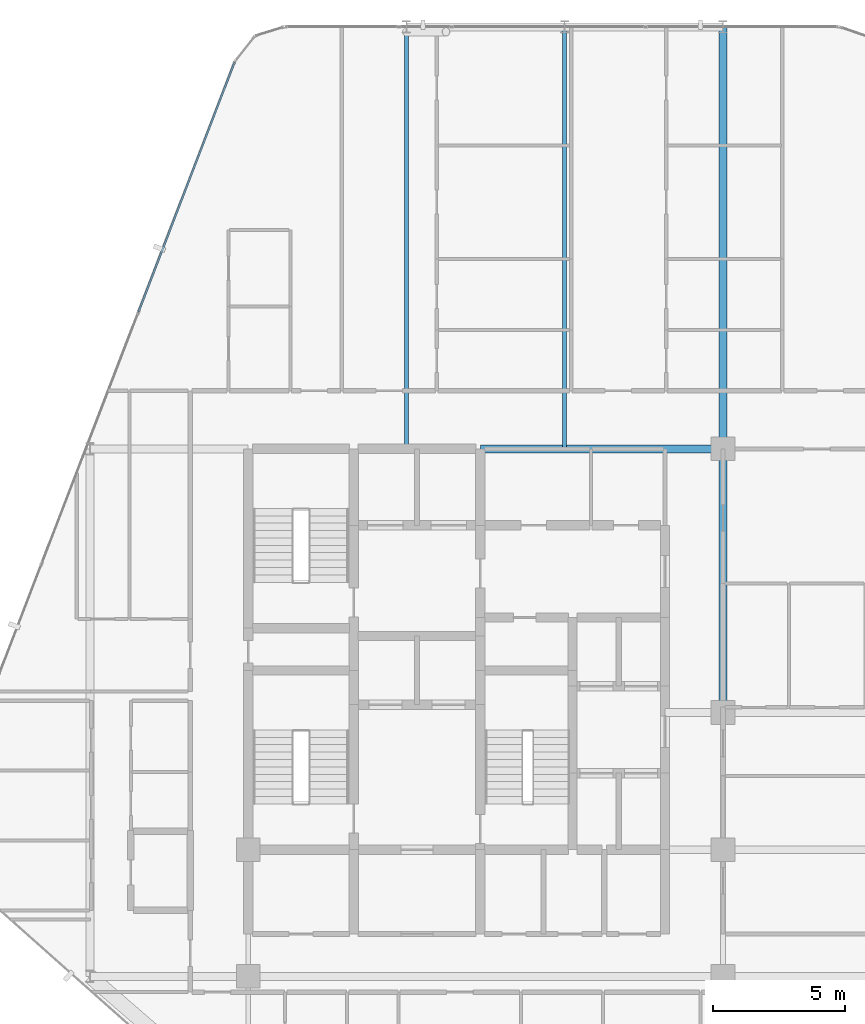
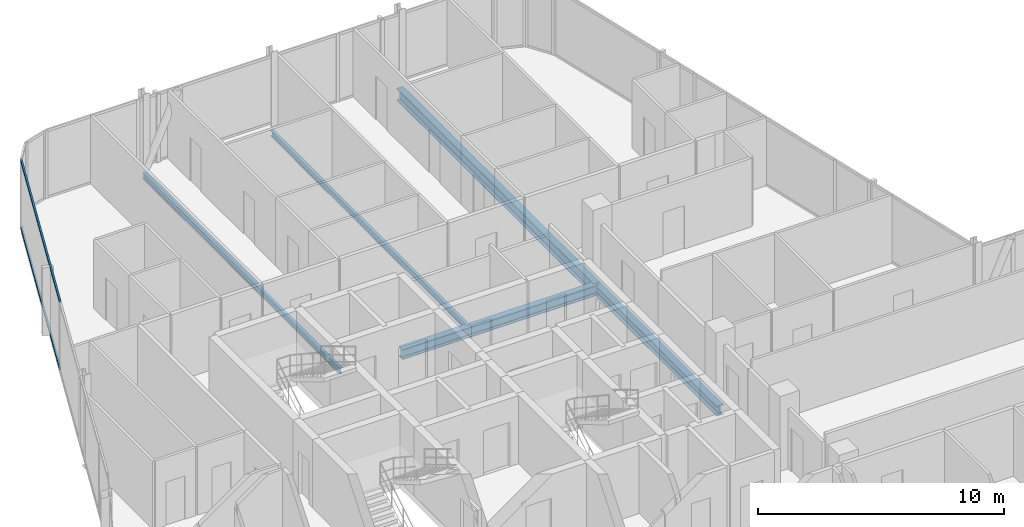
# One storey, part 17 of 29: 5 beams, 2 members, 1 element without a shape of its own.
"""IFC4 building model written with IfcOpenShell, lengths in metres."""

import ifcopenshell
import ifcopenshell.guid

model = None  # the IFC model being written
_history = None  # IfcOwnerHistory: only IFC2X3 demands one
_inside = {}  # id of a spatial element -> (the spatial element, [elements in it])
_under = {}  # id of a project, library or spatial element -> (it, [spatial elements below it])
_declared = {}  # id of a project -> (the project, [libraries it declares])
_typed = {}  # id of a type object -> (the type object, [elements of that type])
_made_of = {}  # id of a material, layer set ... -> (it, [elements and type objects made of it])


def new_model(schema):
    """Start an empty IFC model of exactly this schema.

    Asked for "IFC4X3", IfcOpenShell would pick the latest addendum, in which some entities
    have other attributes; the version numbers below select the first issue.
    IFC2X3 requires an IfcOwnerHistory on every rooted entity: one is made here for all.
    """
    global model, _history
    if schema == "IFC4X3":
        model = ifcopenshell.file(schema_version=(4, 3, 0, 0))
    else:
        model = ifcopenshell.file(schema=schema)
    _inside.clear()
    _under.clear()
    _declared.clear()
    _typed.clear()
    _made_of.clear()
    _history = None
    if model.schema == "IFC2X3":
        org = make("IfcOrganization", Name="unknown")
        user = make(
            "IfcPersonAndOrganization",
            ThePerson=make("IfcPerson", FamilyName="unknown"),
            TheOrganization=org,
        )
        app = make(
            "IfcApplication",
            ApplicationDeveloper=org,
            Version="unknown",
            ApplicationFullName="unknown",
            ApplicationIdentifier="unknown",
        )
        _history = make(
            "IfcOwnerHistory",
            OwningUser=user,
            OwningApplication=app,
            ChangeAction="ADDED",
            CreationDate=0,
        )
    return model


def make(cls, **values):
    """One entity of the class cls with the attributes given. An attribute that is None is left unset."""
    return model.create_entity(
        cls, **{name: value for name, value in values.items() if value is not None}
    )


def rooted(cls, **values):
    """An entity with a GlobalId (a new one), such as an element, a storey or a relation."""
    return make(cls, GlobalId=ifcopenshell.guid.new(), OwnerHistory=_history, **values)


def si_unit(unit_type, name, prefix=None):
    """IfcSIUnit, for example si_unit("LENGTHUNIT", "METRE", prefix="MILLI")."""
    return make("IfcSIUnit", UnitType=unit_type, Prefix=prefix, Name=name)


def assignment(units):
    """IfcUnitAssignment: the units of a project."""
    return None if units is None else make("IfcUnitAssignment", Units=units)


def point(xyz):
    """IfcCartesianPoint."""
    return None if xyz is None else make("IfcCartesianPoint", Coordinates=xyz)


def direction(xyz):
    """IfcDirection."""
    return None if xyz is None else make("IfcDirection", DirectionRatios=xyz)


def frame(location, z_axis=None, x_axis=None):
    """IfcAxis2Placement3D, a coordinate frame: its origin and axes. An axis left out is left unset."""
    return make(
        "IfcAxis2Placement3D",
        Location=point(location),
        Axis=direction(z_axis),
        RefDirection=direction(x_axis),
    )


def frame_2d(location, x_axis=None):
    """IfcAxis2Placement2D, a coordinate frame in the plane: its origin and x axis."""
    return make(
        "IfcAxis2Placement2D", Location=point(location), RefDirection=direction(x_axis)
    )


def origin():
    """The frame at (0, 0, 0) with its axes left unset."""
    return frame((0.0, 0.0, 0.0))


def origin_2d():
    """The frame at (0, 0) in the plane with its x axis left unset."""
    return frame_2d((0.0, 0.0))


def place(relative_to, where):
    """IfcLocalPlacement: puts the frame where relative to a parent placement (None: the world)."""
    return make(
        "IfcLocalPlacement", PlacementRelTo=relative_to, RelativePlacement=where
    )


def context(
    kind, dimensions, precision=None, world=None, true_north=None, identifier=None
):
    """IfcGeometricRepresentationContext, for example the 3D "Model" context."""
    return make(
        "IfcGeometricRepresentationContext",
        ContextIdentifier=identifier,
        ContextType=kind,
        CoordinateSpaceDimension=dimensions,
        Precision=precision,
        WorldCoordinateSystem=world,
        TrueNorth=true_north,
    )


def subcontext(parent, identifier, kind, view, scale=None):
    """IfcGeometricRepresentationSubContext, for example "Body" below "Model"."""
    return make(
        "IfcGeometricRepresentationSubContext",
        ContextIdentifier=identifier,
        ContextType=kind,
        ParentContext=parent,
        TargetScale=scale,
        TargetView=view,
    )


def project(units=None, contexts=None):
    """IfcProject with its units and contexts."""
    return rooted(
        "IfcProject",
        Name="project",
        RepresentationContexts=contexts,
        UnitsInContext=assignment(units),
    )


def spatial(cls, under=None, at=None, **own):
    """A site, building, storey or space (cls), placed at a placement, below another one or the project."""
    s = rooted(cls, ObjectPlacement=at, **own)
    if under is not None:
        _under.setdefault(under.id(), (under, []))[1].append(s)
    return s


def profile(cls, at=None, kind="AREA", **sizes):
    """A parametric profile (cls). Its sizes go by their IFC names, for example OverallWidth=200.0."""
    return make(cls, ProfileType=kind, Position=at, **sizes)


def hollow_rectangle(**sizes):
    """IfcRectangleHollowProfileDef."""
    return profile("IfcRectangleHollowProfileDef", **sizes)


def i_section(**sizes):
    """IfcIShapeProfileDef."""
    return profile("IfcIShapeProfileDef", **sizes)


def extrude(swept, where, along, depth):
    """IfcExtrudedAreaSolid: the profile swept, set in the frame where, extruded along a direction by depth."""
    return make(
        "IfcExtrudedAreaSolid",
        SweptArea=swept,
        Position=where,
        ExtrudedDirection=direction(along),
        Depth=depth,
    )


def shape(context_of_items, identifier, shape_type, items):
    """IfcShapeRepresentation: the items that make up one representation, for example the "Body"."""
    return make(
        "IfcShapeRepresentation",
        ContextOfItems=context_of_items,
        RepresentationIdentifier=identifier,
        RepresentationType=shape_type,
        Items=items,
    )


def material(Name=None, Category=None):
    """IfcMaterial."""
    return make("IfcMaterial", Name=Name, Category=Category)


def layer(
    of_material, thickness, ventilated=None, Name=None, Category=None, Priority=None
):
    """IfcMaterialLayer: one layer of a wall or slab, of a material (None: an air gap)."""
    return make(
        "IfcMaterialLayer",
        Material=of_material,
        LayerThickness=thickness,
        IsVentilated=ventilated,
        Name=Name,
        Category=Category,
        Priority=Priority,
    )


def layer_set(layers, Name=None):
    """IfcMaterialLayerSet."""
    return make("IfcMaterialLayerSet", MaterialLayers=layers, LayerSetName=Name)


def material_profile(
    of_material, cross_section, Name=None, Category=None, Priority=None
):
    """IfcMaterialProfile: a cross section and its material."""
    return make(
        "IfcMaterialProfile",
        Name=Name,
        Material=of_material,
        Profile=cross_section,
        Priority=Priority,
        Category=Category,
    )


def profile_set(profiles, Name=None, composite=None):
    """IfcMaterialProfileSet."""
    return make(
        "IfcMaterialProfileSet",
        Name=Name,
        MaterialProfiles=profiles,
        CompositeProfile=composite,
    )


def made_of(thing, what):
    """Note that an element or type object is made of a material, layer set ...; save() writes the relation."""
    if what is not None:
        _made_of.setdefault(what.id(), (what, []))[1].append(thing)
    return thing


def type_object(cls, material=None, **own):
    """A type object (cls), such as IfcWallType, which elements share."""
    return made_of(rooted(cls, **own), material)


def element(
    cls,
    number,
    at=None,
    inside=None,
    cuts=None,
    type_object=None,
    material=None,
    context=None,
    identifier="Body",
    shape_type=None,
    held_by="IfcProductDefinitionShape",
    body=None,
    shapes=None,
    **own,
):
    """One element of the class cls, such as IfcWall. Its Tag is "e" and its number.

    at: its placement. inside: the storey or other place that contains it. cuts: it is an
    opening in that element (IfcRelVoidsElement). A single representation is given by context,
    identifier, shape_type and body (its items); several are given by shapes. held_by: the class
    of the entity that holds the representations. save() writes the other relations.
    """
    e = rooted(cls, Tag="e%d" % number, ObjectPlacement=at, **own)
    if body is not None:
        shapes = [shape(context, identifier, shape_type, body)]
    if shapes is not None:
        e.Representation = make(held_by, Representations=shapes)
    if inside is not None:
        _inside.setdefault(inside.id(), (inside, []))[1].append(e)
    if cuts is not None:
        rooted(
            "IfcRelVoidsElement", RelatingBuildingElement=cuts, RelatedOpeningElement=e
        )
    if type_object is not None:
        _typed.setdefault(type_object.id(), (type_object, []))[1].append(e)
    return made_of(e, material)


def aggregate(whole, parts):
    """IfcRelAggregates: a whole, such as a stair, and the parts it consists of."""
    return rooted("IfcRelAggregates", RelatingObject=whole, RelatedObjects=parts)


def save(model, path):
    """Write the relations noted so far, then the file.

    IfcRelAggregates (storeys below a building ...), IfcRelContainedInSpatialStructure (elements
    in a storey), IfcRelDefinesByType, IfcRelAssociatesMaterial and IfcRelDeclares: one each for
    every whole, place, type object, material and project.
    """
    for whole, parts in _under.values():
        aggregate(whole, parts)
    for where, things in _inside.values():
        rooted(
            "IfcRelContainedInSpatialStructure",
            RelatedElements=things,
            RelatingStructure=where,
        )
    for kind, things in _typed.values():
        rooted("IfcRelDefinesByType", RelatedObjects=things, RelatingType=kind)
    for what, things in _made_of.values():
        rooted("IfcRelAssociatesMaterial", RelatedObjects=things, RelatingMaterial=what)
    for by, libraries in _declared.values():
        rooted("IfcRelDeclares", RelatingContext=by, RelatedDefinitions=libraries)
    model.write(path)


model = new_model("IFC4")

# Units and contexts
model_context = context("Model", 3, precision=1e-05, world=origin(), true_north=direction((0.0, 1.0)))
body_context = subcontext(model_context, "Body", "Model", "MODEL_VIEW")
ifc_project = project(units=[si_unit("LENGTHUNIT", "METRE"), si_unit("AREAUNIT", "SQUARE_METRE"), si_unit("VOLUMEUNIT", "CUBIC_METRE"), si_unit("PLANEANGLEUNIT", "RADIAN"), si_unit("MASSUNIT", "GRAM", prefix="KILO")], contexts=[model_context])

# Site, building, storey
site_placement = place(None, origin())
site = spatial("IfcSite", under=ifc_project, at=site_placement, CompositionType="ELEMENT")
building_placement = place(site_placement, origin())
building = spatial("IfcBuilding", under=site, at=building_placement, Name="Keshet Zoharim Tower", CompositionType="ELEMENT")
storey_placement = place(building_placement, frame((0.0, 0.0, 180.199951171875)))
storey = spatial("IfcBuildingStorey", under=building, at=storey_placement, Name="L44", CompositionType="ELEMENT", Elevation=180.199951171875)

# Beams
ifc_material_1 = material(Name="Steel S355", Category="steel")
ifc_material_profile_1 = material_profile(ifc_material_1, i_section(OverallWidth=0.14990234375, OverallDepth=0.300048828125, WebThickness=0.007080078125, FlangeThickness=0.0107421875, FilletRadius=0.014892578125, at=origin_2d()), Name="IPE300")
ifc_profile_set_1 = profile_set([ifc_material_profile_1], Name="Steel S355")
beam_type_1 = type_object("IfcBeamType", Name="BM-JST-IP300", PredefinedType="JOIST", material=ifc_profile_set_1)
for number, where, z_axis, x_axis, name in (
    (1, (21.0, 37.89990234375, -0.4599609375), (0.0, 1.0, 0.0), (-1.0, 0.0, 0.0), "L44 Secondary Floor Joist J-001"),
    (2, (27.0, 37.89990234375, -0.4599609375), (0.0, 1.0, 0.0), (-1.0, 0.0, 0.0), "L44 Secondary Floor Joist J-002"),
):
    element("IfcBeam", number, at=place(storey_placement, frame(where, z_axis=z_axis, x_axis=x_axis)), inside=storey, type_object=beam_type_1, Name=name, PredefinedType="JOIST", context=body_context, shape_type="SweptSolid", body=[
        extrude(i_section(OverallWidth=0.14990234375, OverallDepth=0.300048828125, WebThickness=0.007080078125, FlangeThickness=0.0107421875, FilletRadius=0.014892578125, at=origin_2d()), origin(), (0.0, 0.0, 1.0), 16.0),
    ])
ifc_material_profile_2 = material_profile(ifc_material_1, i_section(OverallWidth=0.300048828125, OverallDepth=0.60009765625, WebThickness=0.015380859375, FlangeThickness=0.030029296875, FilletRadius=0.027099609375, at=origin_2d()), Name="HEB600")
ifc_profile_set_2 = profile_set([ifc_material_profile_2], Name="Steel S355")
beam_type_2 = type_object("IfcBeamType", Name="BM-LNG-HB600", PredefinedType="BEAM", material=ifc_profile_set_2)
beam_1_placement = place(storey_placement, frame((33.0, 37.89990234375, -0.60986328125), z_axis=(0.0, 1.0, 0.0), x_axis=(-1.0, 0.0, 0.0)))
element("IfcBeam", 3, at=beam_1_placement, inside=storey, type_object=beam_type_2, Name="L44 Primary Girder Y-011", PredefinedType="BEAM", context=body_context, shape_type="SweptSolid", body=[
    extrude(i_section(OverallWidth=0.300048828125, OverallDepth=0.60009765625, WebThickness=0.015380859375, FlangeThickness=0.030029296875, FilletRadius=0.027099609375, at=origin_2d()), origin(), (0.0, 0.0, 1.0), 16.0),
])
ifc_material_profile_3 = material_profile(ifc_material_1, i_section(OverallWidth=0.300048828125, OverallDepth=0.5, WebThickness=0.014404296875, FlangeThickness=0.028076171875, FilletRadius=0.027099609375, at=origin_2d()), Name="HEB500")
ifc_profile_set_3 = profile_set([ifc_material_profile_3], Name="Steel S355")
beam_type_3 = type_object("IfcBeamType", Name="BM-MED-HB500", PredefinedType="BEAM", material=ifc_profile_set_3)
beam_2_placement = place(storey_placement, frame((23.800048828125, 37.89990234375, -0.56005859375), z_axis=(1.0, 0.0, 0.0), x_axis=(0.0, 1.0, 0.0)))
element("IfcBeam", 4, at=beam_2_placement, inside=storey, type_object=beam_type_3, Name="L44 Primary Girder X-018", PredefinedType="BEAM", context=body_context, shape_type="SweptSolid", body=[
    extrude(i_section(OverallWidth=0.300048828125, OverallDepth=0.5, WebThickness=0.014404296875, FlangeThickness=0.028076171875, FilletRadius=0.027099609375, at=origin_2d()), origin(), (0.0, 0.0, 1.0), 9.199951171875),
])
beam_3_placement = place(storey_placement, frame((33.0, 27.89990234375, -0.56005859375), z_axis=(0.0, 1.0, 0.0), x_axis=(-1.0, 0.0, 0.0)))
element("IfcBeam", 5, at=beam_3_placement, inside=storey, type_object=beam_type_3, Name="L44 Primary Girder Y-010", PredefinedType="BEAM", context=body_context, shape_type="SweptSolid", body=[
    extrude(i_section(OverallWidth=0.300048828125, OverallDepth=0.5, WebThickness=0.014404296875, FlangeThickness=0.028076171875, FilletRadius=0.027099609375, at=origin_2d()), origin(), (0.0, 0.0, 1.0), 10.0),
])

# Curtain wall, members
ifc_material_2 = material(Name="Aluminium 6063-T6", Category="aluminium")
ifc_layer = layer(ifc_material_2, 0.139892578125)
ifc_layer_set = layer_set([ifc_layer], Name="Aluminium 6063-T6")
curtain_wall_type = type_object("IfcCurtainWallType", Name="CW-SYS-05", PredefinedType="NOTDEFINED", material=ifc_layer_set)
curtain_wall_placement = place(storey_placement, origin())
curtain_wall = element("IfcCurtainWall", 6, at=curtain_wall_placement, inside=storey, type_object=curtain_wall_type, Name="L44 Unitised Curtain Wall 13", PredefinedType="NOTDEFINED")
ifc_material_profile_4 = material_profile(ifc_material_2, hollow_rectangle(XDim=0.074951171875, YDim=0.1201171875, WallThickness=0.00390625, at=origin_2d()), Name="TRN-75x120")
ifc_profile_set_4 = profile_set([ifc_material_profile_4], Name="Aluminium 6063-T6")
member_type = type_object("IfcMemberType", Name="CWT-T12", PredefinedType="USERDEFINED", material=ifc_profile_set_4)
member_1_placement = place(storey_placement, frame((10.849609375, 43.10888671875, 0.03515625), z_axis=(0.358985546764, 0.933343118694, 0.0), x_axis=(-0.933343118694, 0.358985546764, 0.0)))
member_1 = element("IfcMember", 7, at=member_1_placement, type_object=member_type, Name="CW-05 transom 3.1", ObjectType="TRANSOM", PredefinedType="USERDEFINED", context=body_context, shape_type="SweptSolid", body=[
    extrude(hollow_rectangle(XDim=0.074951171875, YDim=0.1201171875, WallThickness=0.00390625, at=origin_2d()), origin(), (0.0, 0.0, 1.0), 10.118408203125),
])
member_2_placement = place(storey_placement, frame((10.849609375, 43.10888671875, 3.344970703125), z_axis=(0.358985546764, 0.933343118694, 0.0), x_axis=(-0.933343118694, 0.358985546764, 0.0)))
member_2 = element("IfcMember", 8, at=member_2_placement, type_object=member_type, Name="CW-05 transom 3.2", ObjectType="TRANSOM", PredefinedType="USERDEFINED", context=body_context, shape_type="SweptSolid", body=[
    extrude(hollow_rectangle(XDim=0.074951171875, YDim=0.1201171875, WallThickness=0.00390625, at=origin_2d()), origin(), (0.0, 0.0, 1.0), 10.118408203125),
])
aggregate(curtain_wall, [member_1, member_2])

save(model, "model.ifc")
